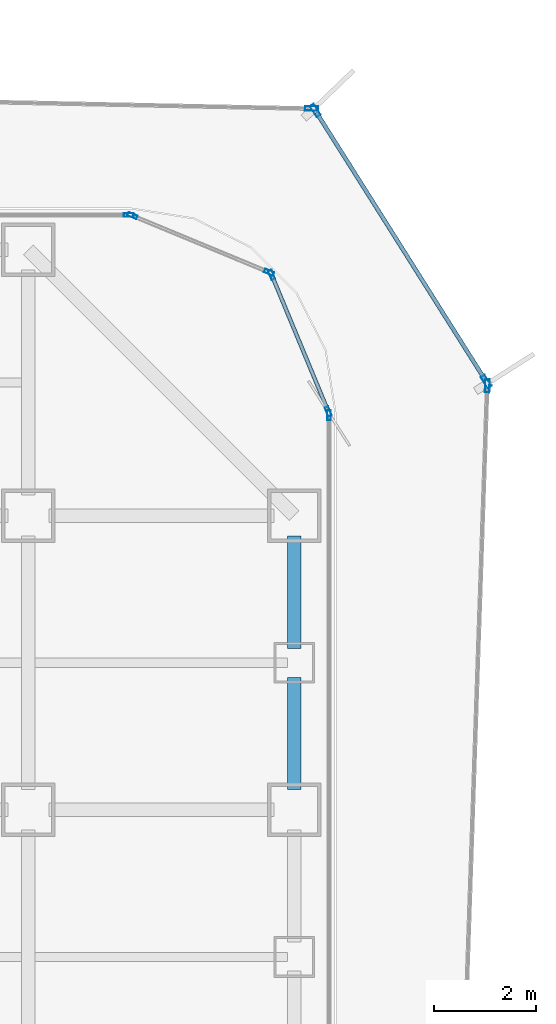
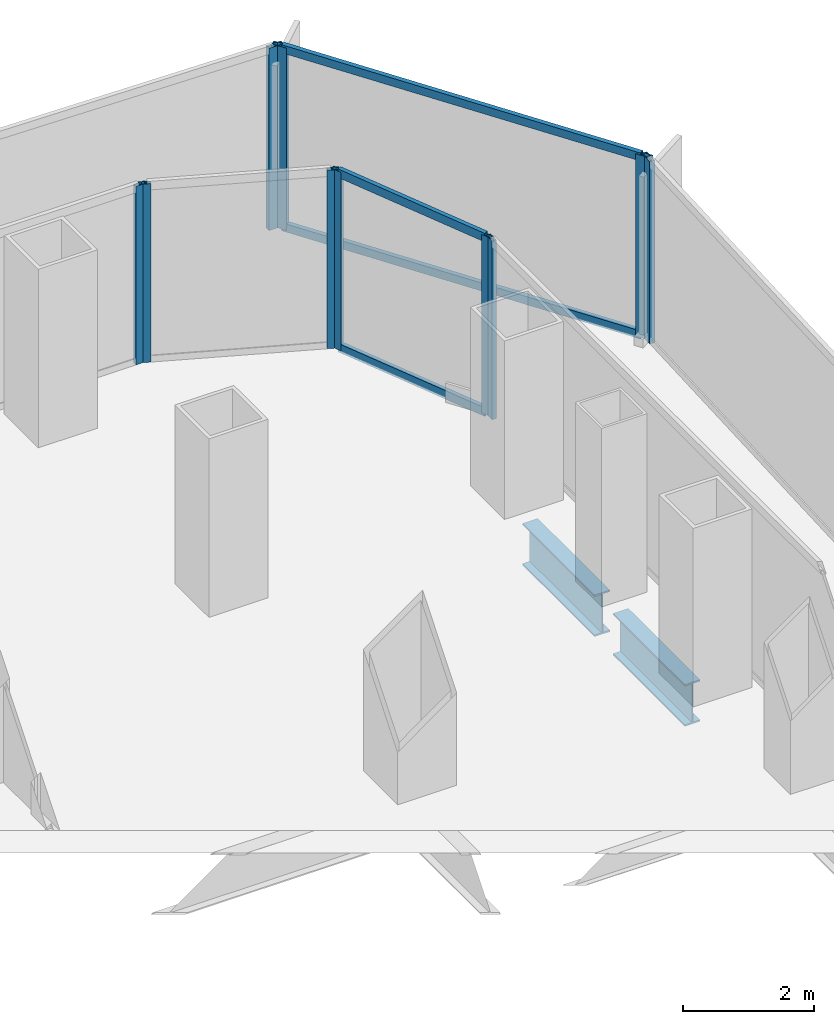
# One storey, part 15 of 21: 14 members, 2 beams, 7 elements without a shape of their own.
"""IFC4 building model written with IfcOpenShell, lengths in metres."""

from ifc_helpers import new_model, si_unit, direction, frame, origin, origin_2d, place, context, subcontext, project, spatial, hollow_rectangle, i_section, extrude, source, transform, mapped, material, layer, layer_set, material_profile, profile_set, type_object, element, aggregate, save


model = new_model("IFC4")

# Units and contexts
model_context = context("Model", 3, precision=1e-05, world=origin(), true_north=direction((0.0, 1.0)))
body_context = subcontext(model_context, "Body", "Model", "MODEL_VIEW")
ifc_project = project(units=[si_unit("LENGTHUNIT", "METRE"), si_unit("AREAUNIT", "SQUARE_METRE"), si_unit("VOLUMEUNIT", "CUBIC_METRE"), si_unit("PLANEANGLEUNIT", "RADIAN"), si_unit("MASSUNIT", "GRAM", prefix="KILO")], contexts=[model_context])

# Site, building, storey
site_placement = place(None, origin())
site = spatial("IfcSite", under=ifc_project, at=site_placement, CompositionType="ELEMENT")
building_placement = place(site_placement, origin())
building = spatial("IfcBuilding", under=site, at=building_placement, Name="Kolveth Station Tower", CompositionType="ELEMENT")
storey_placement = place(building_placement, frame((0.0, 0.0, 29.699951171875)))
storey = spatial("IfcBuildingStorey", under=building, at=storey_placement, Name="L07", CompositionType="ELEMENT", Elevation=29.699951171875)

# Beams
ifc_material_1 = material(Name="Steel S355", Category="steel")
ifc_material_profile_1 = material_profile(ifc_material_1, i_section(OverallWidth=0.26904296875, OverallDepth=0.77490234375, WebThickness=0.01708984375, FlangeThickness=0.0283203125, at=origin_2d()), Name="W760x220")
ifc_profile_set_1 = profile_set([ifc_material_profile_1], Name="Steel S355")
beam_type = type_object("IfcBeamType", Name="Beam_SP1", PredefinedType="SPANDREL", material=ifc_profile_set_1)
shared_shape_1 = source(origin(), body_context, "Body", "SweptSolid", [
    extrude(i_section(OverallWidth=0.26904296875, OverallDepth=0.77490234375, WebThickness=0.01708984375, FlangeThickness=0.0283203125, at=origin_2d()), origin(), (0.0, 0.0, 1.0), 2.2001953125),
])
beam_1_placement = place(storey_placement, frame((46.199951171875, 31.89990234375, -0.66748046875), z_axis=(0.0, 1.0, 0.0), x_axis=(-1.0, 0.0, 0.0)))
element("IfcBeam", 1, at=beam_1_placement, inside=storey, type_object=beam_type, Name="L07 Perimeter Spandrel BM-L07-PE-10", PredefinedType="SPANDREL", context=body_context, shape_type="MappedRepresentation", body=[
    mapped(shared_shape_1, transform((0.0, 0.0, 0.0), x_axis=(1.0, 0.0, 0.0), y_axis=(0.0, 1.0, 0.0), z_axis=(0.0, 0.0, 1.0), scale=1.0)),
])
shared_shape_2 = source(origin(), body_context, "Body", "SweptSolid", [
    extrude(i_section(OverallWidth=0.26904296875, OverallDepth=0.77490234375, WebThickness=0.01708984375, FlangeThickness=0.0283203125, at=origin_2d()), origin(), (0.0, 0.0, 1.0), 2.190185546875),
])
beam_2_placement = place(storey_placement, frame((46.199951171875, 29.14990234375, -0.66748046875), z_axis=(0.0, 1.0, 0.0), x_axis=(-1.0, 0.0, 0.0)))
element("IfcBeam", 2, at=beam_2_placement, inside=storey, type_object=beam_type, Name="L07 Perimeter Spandrel BM-L07-PE-9", PredefinedType="SPANDREL", context=body_context, shape_type="MappedRepresentation", body=[
    mapped(shared_shape_2, transform((0.0, 0.0, 0.0), x_axis=(1.0, 0.0, 0.0), y_axis=(0.0, 1.0, 0.0), z_axis=(0.0, 0.0, 1.0), scale=1.0)),
])

# Curtain wall, member
ifc_material_2 = material(Name="Aluminium 6063-T6 and low-E dark glass", Category="aluminium")
ifc_layer_1 = layer(ifc_material_2, 0.179931640625)
ifc_layer_set_1 = layer_set([ifc_layer_1], Name="Aluminium 6063-T6 and low-E dark glass")
curtain_wall_type_1 = type_object("IfcCurtainWallType", Name="CurtainWall_CW-Z1", PredefinedType="NOTDEFINED", material=ifc_layer_set_1)
curtain_wall_1_placement = place(storey_placement, origin())
curtain_wall_1 = element("IfcCurtainWall", 3, at=curtain_wall_1_placement, inside=storey, type_object=curtain_wall_type_1, Name="L07 Inner Thermal Curtain Wall 3", PredefinedType="NOTDEFINED")
ifc_material_3 = material(Name="Black anodized aluminium 6063-T6", Category="aluminium")
ifc_material_profile_2 = material_profile(ifc_material_3, hollow_rectangle(XDim=0.074951171875, YDim=0.18994140625, WallThickness=0.0048828125, at=origin_2d()), Name="ALU-75x190x5")
ifc_profile_set_2 = profile_set([ifc_material_profile_2], Name="Black anodized aluminium 6063-T6")
member_type_1 = type_object("IfcMemberType", Name="Mullion_ML1", PredefinedType="MULLION", material=ifc_profile_set_2)
shared_shape_3 = source(origin(), body_context, "Body", "SweptSolid", [
    extrude(hollow_rectangle(XDim=0.074951171875, YDim=0.18994140625, WallThickness=0.0048828125, at=origin_2d()), origin(), (0.0, 0.0, 1.0), 3.320068359375),
])
member_1_placement = place(storey_placement, frame((46.8798828125, 36.46240234375, 0.0), z_axis=(0.0, 0.0, 1.0), x_axis=(-1.0, 0.0, 0.0)))
member_1 = element("IfcMember", 4, at=member_1_placement, type_object=member_type_1, Name="CW-Z1 mullion 2", PredefinedType="MULLION", context=body_context, shape_type="MappedRepresentation", body=[
    mapped(shared_shape_3, transform((0.0, 0.0, 0.0), x_axis=(1.0, 0.0, 0.0), y_axis=(0.0, 1.0, 0.0), z_axis=(0.0, 0.0, 1.0), scale=1.0)),
])
aggregate(curtain_wall_1, [member_1])

# Curtain wall, members
curtain_wall_2_placement = place(storey_placement, origin())
curtain_wall_2 = element("IfcCurtainWall", 5, at=curtain_wall_2_placement, inside=storey, type_object=curtain_wall_type_1, Name="L07 Inner Thermal Curtain Wall 4", PredefinedType="NOTDEFINED")
member_2_placement = place(storey_placement, frame((46.86572265625, 36.53466796875, 0.0), z_axis=(0.0, 0.0, 1.0), x_axis=(-0.923883857728, -0.382672990201, 0.0)))
member_2 = element("IfcMember", 6, at=member_2_placement, type_object=member_type_1, Name="CW-Z1 mullion 1", PredefinedType="MULLION", context=body_context, shape_type="MappedRepresentation", body=[
    mapped(shared_shape_3, transform((0.0, 0.0, 0.0), x_axis=(1.0, 0.0, 0.0), y_axis=(0.0, 1.0, 0.0), z_axis=(0.0, 0.0, 1.0), scale=1.0)),
])
member_3_placement = place(storey_placement, frame((45.758056640625, 39.208984375, 0.0), z_axis=(0.0, 0.0, 1.0), x_axis=(-0.923883857728, -0.382672990201, 0.0)))
member_3 = element("IfcMember", 7, at=member_3_placement, type_object=member_type_1, Name="CW-Z1 mullion 2", PredefinedType="MULLION", context=body_context, shape_type="MappedRepresentation", body=[
    mapped(shared_shape_3, transform((0.0, 0.0, 0.0), x_axis=(1.0, 0.0, 0.0), y_axis=(0.0, 1.0, 0.0), z_axis=(0.0, 0.0, 1.0), scale=1.0)),
])

curtain_wall_3_placement = place(storey_placement, origin())
curtain_wall_3 = element("IfcCurtainWall", 8, at=curtain_wall_3_placement, inside=storey, type_object=curtain_wall_type_1, Name="L07 Inner Thermal Curtain Wall 5", PredefinedType="NOTDEFINED")
member_4_placement = place(storey_placement, frame((45.708984375, 39.258056640625, 0.0), z_axis=(0.0, 0.0, 1.0), x_axis=(-0.382672990201, -0.923883857728, 0.0)))
member_4 = element("IfcMember", 9, at=member_4_placement, type_object=member_type_1, Name="CW-Z1 mullion 1", PredefinedType="MULLION", context=body_context, shape_type="MappedRepresentation", body=[
    mapped(shared_shape_3, transform((0.0, 0.0, 0.0), x_axis=(1.0, 0.0, 0.0), y_axis=(0.0, 1.0, 0.0), z_axis=(0.0, 0.0, 1.0), scale=1.0)),
])
member_5_placement = place(storey_placement, frame((43.03466796875, 40.36572265625, 0.0), z_axis=(0.0, 0.0, 1.0), x_axis=(-0.382672990201, -0.923883857728, 0.0)))
member_5 = element("IfcMember", 10, at=member_5_placement, type_object=member_type_1, Name="CW-Z1 mullion 2", PredefinedType="MULLION", context=body_context, shape_type="MappedRepresentation", body=[
    mapped(shared_shape_3, transform((0.0, 0.0, 0.0), x_axis=(1.0, 0.0, 0.0), y_axis=(0.0, 1.0, 0.0), z_axis=(0.0, 0.0, 1.0), scale=1.0)),
])
aggregate(curtain_wall_3, [member_4, member_5])

# Curtain wall, member
curtain_wall_4_placement = place(storey_placement, origin())
curtain_wall_4 = element("IfcCurtainWall", 11, at=curtain_wall_4_placement, inside=storey, type_object=curtain_wall_type_1, Name="L07 Inner Thermal Curtain Wall 6", PredefinedType="NOTDEFINED")
member_6_placement = place(storey_placement, frame((42.96240234375, 40.3798828125, 0.0), z_axis=(0.0, 0.0, 1.0), x_axis=(0.0, -1.0, 0.0)))
member_6 = element("IfcMember", 12, at=member_6_placement, type_object=member_type_1, Name="CW-Z1 mullion 1", PredefinedType="MULLION", context=body_context, shape_type="MappedRepresentation", body=[
    mapped(shared_shape_3, transform((0.0, 0.0, 0.0), x_axis=(1.0, 0.0, 0.0), y_axis=(0.0, 1.0, 0.0), z_axis=(0.0, 0.0, 1.0), scale=1.0)),
])
aggregate(curtain_wall_4, [member_6])

# Member
ifc_material_profile_3 = material_profile(ifc_material_3, hollow_rectangle(XDim=0.074951171875, YDim=0.159912109375, WallThickness=0.0048828125, at=origin_2d()), Name="ALU-75x160x5")
ifc_profile_set_3 = profile_set([ifc_material_profile_3], Name="Black anodized aluminium 6063-T6")
member_type_2 = type_object("IfcMemberType", Name="Transom_TR1", PredefinedType="USERDEFINED", material=ifc_profile_set_3)
shared_shape_4 = source(origin(), body_context, "Body", "SweptSolid", [
    extrude(hollow_rectangle(XDim=0.074951171875, YDim=0.159912109375, WallThickness=0.0048828125, at=origin_2d()), origin(), (0.0, 0.0, 1.0), 2.819580078125),
])
member_7_placement = place(storey_placement, frame((46.851318359375, 36.5693359375, 0.03759765625), z_axis=(-0.382708655389, 0.923869084389, 0.0), x_axis=(-0.923869084389, -0.382708655389, 0.0)))
member_7 = element("IfcMember", 13, at=member_7_placement, type_object=member_type_2, Name="CW-Z1 transom 1.1", ObjectType="TRANSOM", PredefinedType="USERDEFINED", context=body_context, shape_type="MappedRepresentation", body=[
    mapped(shared_shape_4, transform((0.0, 0.0, 0.0), x_axis=(1.0, 0.0, 0.0), y_axis=(0.0, 1.0, 0.0), z_axis=(0.0, 0.0, 1.0), scale=1.0)),
])

member_8_placement = place(storey_placement, frame((46.851318359375, 36.5693359375, 3.282470703125), z_axis=(-0.382708655389, 0.923869084389, 0.0), x_axis=(-0.923869084389, -0.382708655389, 0.0)))
member_8 = element("IfcMember", 14, at=member_8_placement, type_object=member_type_2, Name="CW-Z1 transom 1.2", ObjectType="TRANSOM", PredefinedType="USERDEFINED", context=body_context, shape_type="MappedRepresentation", body=[
    mapped(shared_shape_4, transform((0.0, 0.0, 0.0), x_axis=(1.0, 0.0, 0.0), y_axis=(0.0, 1.0, 0.0), z_axis=(0.0, 0.0, 1.0), scale=1.0)),
])

aggregate(curtain_wall_2, [member_2, member_3, member_7, member_8])

# Curtain wall, member
ifc_material_4 = material(Name="Black anodized aluminium 6063-T6 and dark solar glass", Category="aluminium")
ifc_layer_2 = layer(ifc_material_4, 0.159912109375)
ifc_layer_set_2 = layer_set([ifc_layer_2], Name="Black anodized aluminium 6063-T6 and dark solar glass")
curtain_wall_type_2 = type_object("IfcCurtainWallType", Name="OUTER SKIN CW-OS", PredefinedType="NOTDEFINED", material=ifc_layer_set_2)
curtain_wall_5_placement = place(storey_placement, origin())
curtain_wall_5 = element("IfcCurtainWall", 15, at=curtain_wall_5_placement, inside=storey, type_object=curtain_wall_type_2, Name="L07 Outer Ventilated Skin Curtain Wall 2", PredefinedType="NOTDEFINED")
ifc_material_profile_4 = material_profile(ifc_material_3, hollow_rectangle(XDim=0.090087890625, YDim=0.260009765625, WallThickness=0.0048828125, at=origin_2d()), Name="ALU-90x260x5")
ifc_profile_set_4 = profile_set([ifc_material_profile_4], Name="Black anodized aluminium 6063-T6")
member_type_3 = type_object("IfcMemberType", Name="FIN MULLION ML-OS", PredefinedType="MULLION", material=ifc_profile_set_4)
shared_shape_5 = source(origin(), body_context, "Body", "SweptSolid", [
    extrude(hollow_rectangle(XDim=0.090087890625, YDim=0.260009765625, WallThickness=0.0048828125, at=origin_2d()), origin(), (0.0, 0.0, 1.0), 3.39013671875),
])
member_9_placement = place(storey_placement, frame((49.975830078125, 37.038330078125, 0.0), z_axis=(0.0, 0.0, 1.0), x_axis=(-0.999426087103, 0.033874716513, 0.0)))
member_9 = element("IfcMember", 16, at=member_9_placement, type_object=member_type_3, Name="CW-OS mullion 2", PredefinedType="MULLION", context=body_context, shape_type="MappedRepresentation", body=[
    mapped(shared_shape_5, transform((0.0, 0.0, 0.0), x_axis=(1.0, 0.0, 0.0), y_axis=(0.0, 1.0, 0.0), z_axis=(0.0, 0.0, 1.0), scale=1.0)),
])
aggregate(curtain_wall_5, [member_9])

# Curtain wall, members
curtain_wall_6_placement = place(storey_placement, origin())
curtain_wall_6 = element("IfcCurtainWall", 17, at=curtain_wall_6_placement, inside=storey, type_object=curtain_wall_type_2, Name="L07 Outer Ventilated Skin Curtain Wall 3", PredefinedType="NOTDEFINED")
member_10_placement = place(storey_placement, frame((49.953369140625, 37.12158203125, 0.0), z_axis=(0.0, 0.0, 1.0), x_axis=(-0.845784423469, -0.533524797003, 0.0)))
member_10 = element("IfcMember", 18, at=member_10_placement, type_object=member_type_3, Name="CW-OS mullion 1", PredefinedType="MULLION", context=body_context, shape_type="MappedRepresentation", body=[
    mapped(shared_shape_5, transform((0.0, 0.0, 0.0), x_axis=(1.0, 0.0, 0.0), y_axis=(0.0, 1.0, 0.0), z_axis=(0.0, 0.0, 1.0), scale=1.0)),
])
member_11_placement = place(storey_placement, frame((46.609619140625, 42.42236328125, 0.0), z_axis=(0.0, 0.0, 1.0), x_axis=(-0.845784423469, -0.533524797003, 0.0)))
member_11 = element("IfcMember", 19, at=member_11_placement, type_object=member_type_3, Name="CW-OS mullion 2", PredefinedType="MULLION", context=body_context, shape_type="MappedRepresentation", body=[
    mapped(shared_shape_5, transform((0.0, 0.0, 0.0), x_axis=(1.0, 0.0, 0.0), y_axis=(0.0, 1.0, 0.0), z_axis=(0.0, 0.0, 1.0), scale=1.0)),
])

# Curtain wall, member
curtain_wall_7_placement = place(storey_placement, origin())
curtain_wall_7 = element("IfcCurtainWall", 20, at=curtain_wall_7_placement, inside=storey, type_object=curtain_wall_type_2, Name="L07 Outer Ventilated Skin Curtain Wall 4", PredefinedType="NOTDEFINED")
member_12_placement = place(storey_placement, frame((46.54052734375, 42.46142578125, 0.0), z_axis=(0.0, 0.0, 1.0), x_axis=(-0.020605735172, -0.999787679299, 0.0)))
member_12 = element("IfcMember", 21, at=member_12_placement, type_object=member_type_3, Name="CW-OS mullion 1", PredefinedType="MULLION", context=body_context, shape_type="MappedRepresentation", body=[
    mapped(shared_shape_5, transform((0.0, 0.0, 0.0), x_axis=(1.0, 0.0, 0.0), y_axis=(0.0, 1.0, 0.0), z_axis=(0.0, 0.0, 1.0), scale=1.0)),
])
aggregate(curtain_wall_7, [member_12])

# Member
ifc_material_profile_5 = material_profile(ifc_material_3, hollow_rectangle(XDim=0.080078125, YDim=0.14990234375, WallThickness=0.0048828125, at=origin_2d()), Name="ALU-80x150x5")
ifc_profile_set_5 = profile_set([ifc_material_profile_5], Name="Black anodized aluminium 6063-T6")
member_type_4 = type_object("IfcMemberType", Name="Transom_TR-OS", PredefinedType="USERDEFINED", material=ifc_profile_set_5)
shared_shape_6 = source(origin(), body_context, "Body", "SweptSolid", [
    extrude(hollow_rectangle(XDim=0.080078125, YDim=0.14990234375, WallThickness=0.0048828125, at=origin_2d()), origin(), (0.0, 0.0, 1.0), 6.177490234375),
])
member_13_placement = place(storey_placement, frame((49.929443359375, 37.159423828125, 0.0400390625), z_axis=(-0.533528993164, 0.845781776496, 0.0), x_axis=(-0.845781776496, -0.533528993164, 0.0)))
member_13 = element("IfcMember", 22, at=member_13_placement, type_object=member_type_4, Name="CW-OS transom 1.1", ObjectType="TRANSOM", PredefinedType="USERDEFINED", context=body_context, shape_type="MappedRepresentation", body=[
    mapped(shared_shape_6, transform((0.0, 0.0, 0.0), x_axis=(1.0, 0.0, 0.0), y_axis=(0.0, 1.0, 0.0), z_axis=(0.0, 0.0, 1.0), scale=1.0)),
])

member_14_placement = place(storey_placement, frame((49.929443359375, 37.159423828125, 3.35009765625), z_axis=(-0.533528993164, 0.845781776496, 0.0), x_axis=(-0.845781776496, -0.533528993164, 0.0)))
member_14 = element("IfcMember", 23, at=member_14_placement, type_object=member_type_4, Name="CW-OS transom 1.2", ObjectType="TRANSOM", PredefinedType="USERDEFINED", context=body_context, shape_type="MappedRepresentation", body=[
    mapped(shared_shape_6, transform((0.0, 0.0, 0.0), x_axis=(1.0, 0.0, 0.0), y_axis=(0.0, 1.0, 0.0), z_axis=(0.0, 0.0, 1.0), scale=1.0)),
])

aggregate(curtain_wall_6, [member_10, member_11, member_13, member_14])

save(model, "model.ifc")
